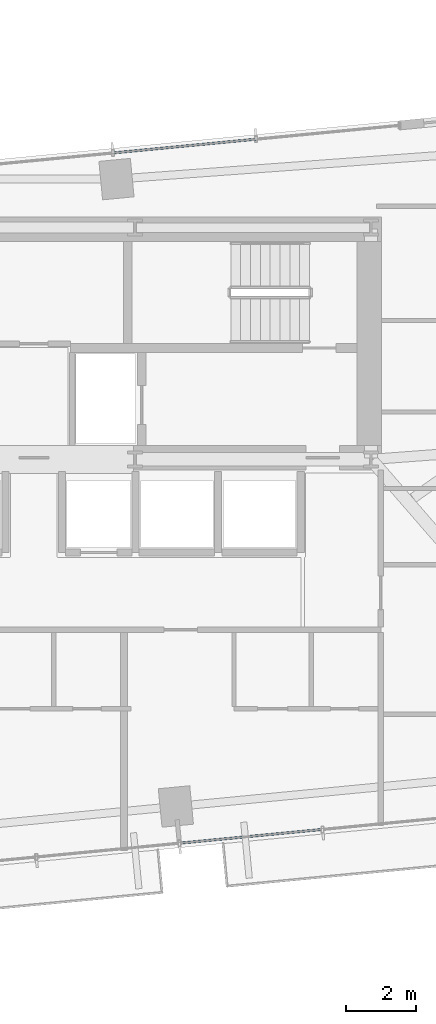
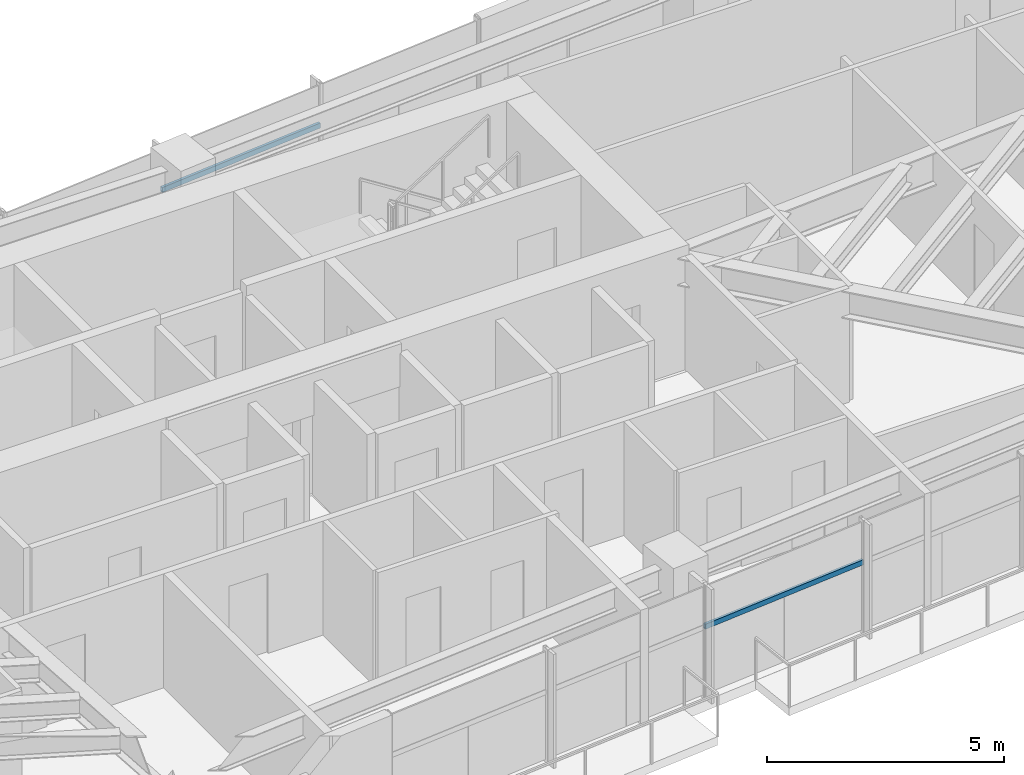
# One storey, part 11 of 25: 2 members, 2 elements without a shape of their own.
"""IFC4 building model written with IfcOpenShell, lengths in metres."""

from ifc_helpers import new_model, si_unit, direction, frame, origin, origin_2d, place, context, subcontext, project, spatial, hollow_rectangle, extrude, source, transform, mapped, material, material_profile, profile_set, type_object, type_shapes, element, aggregate, save


model = new_model("IFC4")

# Units and contexts
model_context = context("Model", 3, precision=1e-05, world=origin(), true_north=direction((0.0, 1.0)))
body_context = subcontext(model_context, "Body", "Model", "MODEL_VIEW")
ifc_project = project(units=[si_unit("LENGTHUNIT", "METRE"), si_unit("AREAUNIT", "SQUARE_METRE"), si_unit("VOLUMEUNIT", "CUBIC_METRE"), si_unit("PLANEANGLEUNIT", "RADIAN"), si_unit("MASSUNIT", "GRAM", prefix="KILO")], contexts=[model_context])

# Site, building, storey
site_placement = place(None, origin())
site = spatial("IfcSite", under=ifc_project, at=site_placement, CompositionType="ELEMENT")
building_placement = place(site_placement, origin())
building = spatial("IfcBuilding", under=site, at=building_placement, Name="Astriad Promenade Condominiums", CompositionType="ELEMENT")
storey_placement = place(building_placement, frame((0.0, 0.0, 106.60009765625)))
storey = spatial("IfcBuildingStorey", under=building, at=storey_placement, Name="L30", CompositionType="ELEMENT", Elevation=106.60009765625)

# Curtain wall, member
ifc_material_1 = material(Name="Anodised aluminium Black Dark Glass Unitised", Category="aluminium")
curtain_wall_type = type_object("IfcCurtainWallType", Name="CW-B2-DARK", PredefinedType="USERDEFINED", material=ifc_material_1)
curtain_wall_1_placement = place(storey_placement, origin())
curtain_wall_1 = element("IfcCurtainWall", 1, at=curtain_wall_1_placement, inside=storey, type_object=curtain_wall_type, Name="CW-L30-N", ObjectType="UNITISED_CURTAIN_WALL", PredefinedType="USERDEFINED")
ifc_material_2 = material(Name="Anodised aluminium 6063-T6 Black", Category="aluminium")
ifc_material_profile = material_profile(ifc_material_2, hollow_rectangle(XDim=0.06494140625, YDim=0.1298828125, WallThickness=0.00390625, at=origin_2d()), Name="ALU-TRN-65X130")
ifc_profile_set = profile_set([ifc_material_profile], Name="Anodised aluminium 6063-T6 Black")
member_type = type_object("IfcMemberType", Name="TRN-ALU-TRN-65X130", PredefinedType="USERDEFINED", material=ifc_profile_set)
shared_shape = source(origin(), body_context, "Body", "SweptSolid", [
    extrude(hollow_rectangle(XDim=0.06494140625, YDim=0.1298828125, WallThickness=0.00390625, at=origin_2d()), origin(), (0.0, 0.0, 1.0), 4.094970703125),
])
type_shapes(member_type, [shared_shape])
member_1_placement = place(storey_placement, frame((38.25390625, 26.12451171875, 1.82275390625), z_axis=(0.995394161585, 0.09586690296, 0.0), x_axis=(-0.09586690296, 0.995394161585, 0.0)))
member_1 = element("IfcMember", 2, at=member_1_placement, type_object=member_type, Name="CW-L30-N-TRN-02-0", ObjectType="TRANSOM", PredefinedType="USERDEFINED", context=body_context, shape_type="MappedRepresentation", body=[
    mapped(shared_shape, transform((0.0, 0.0, 0.0), scale=1.0)),
])
aggregate(curtain_wall_1, [member_1])

curtain_wall_2_placement = place(storey_placement, origin())
curtain_wall_2 = element("IfcCurtainWall", 3, at=curtain_wall_2_placement, inside=storey, type_object=curtain_wall_type, Name="CW-L30-S", ObjectType="UNITISED_CURTAIN_WALL", PredefinedType="USERDEFINED")
member_2_placement = place(storey_placement, frame((44.22216796875, 6.867919921875, 1.82275390625), z_axis=(-0.995394161585, -0.09586690296, 0.0), x_axis=(0.09586690296, -0.995394161585, 0.0)))
member_2 = element("IfcMember", 4, at=member_2_placement, type_object=member_type, Name="CW-L30-S-TRN-01-0", ObjectType="TRANSOM", PredefinedType="USERDEFINED", context=body_context, shape_type="MappedRepresentation", body=[
    mapped(shared_shape, transform((0.0, 0.0, 0.0), scale=1.0)),
])
aggregate(curtain_wall_2, [member_2])

save(model, "model.ifc")
